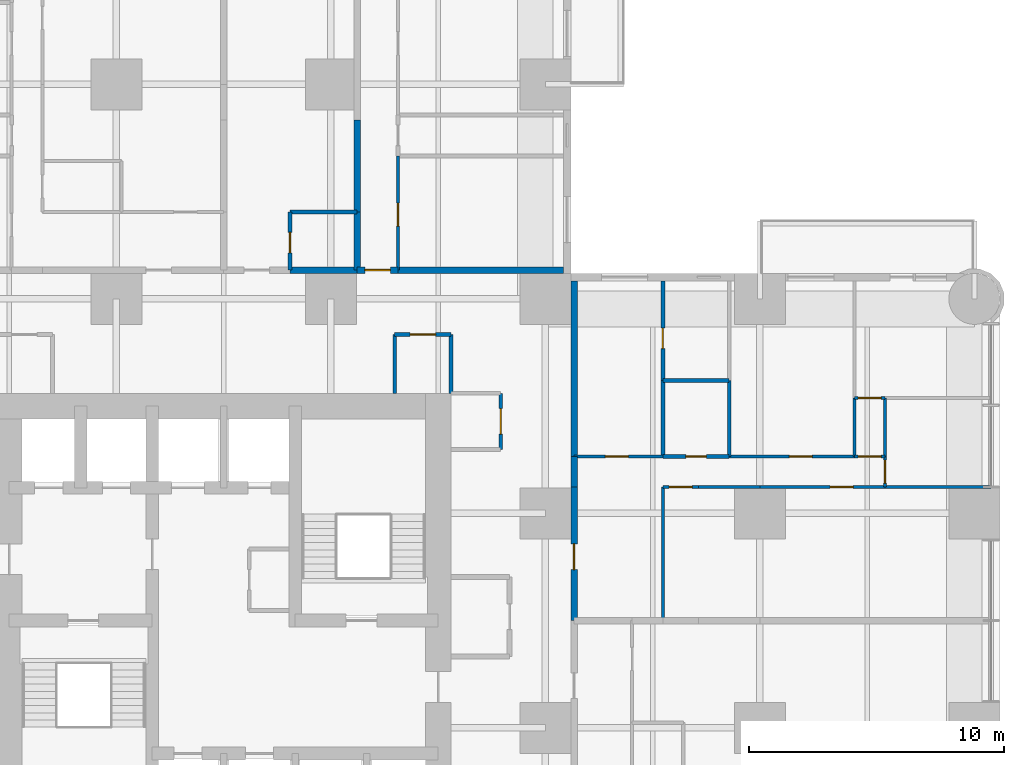
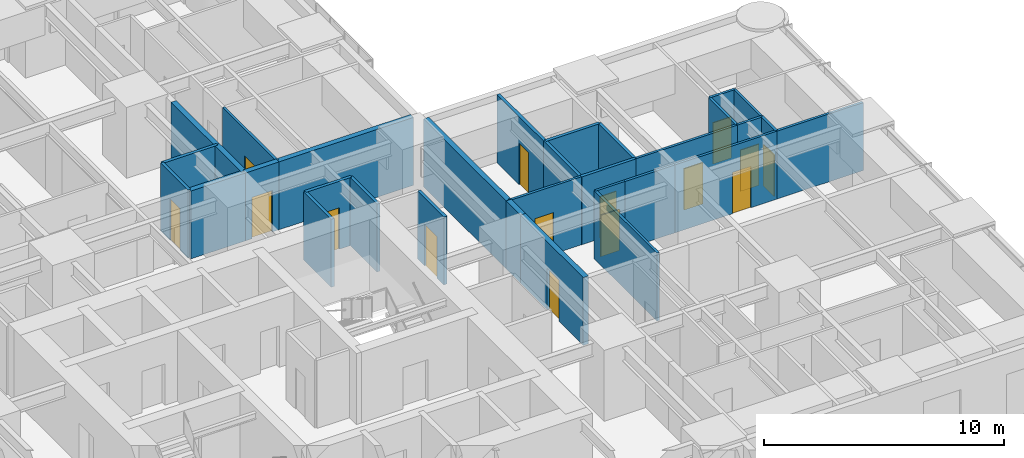
# One storey, part 14 of 17: 32 walls, 15 doors, 15 openings.
"""IFC4 building model written with IfcOpenShell, lengths in metres."""

import ifcopenshell
import ifcopenshell.guid

model = None  # the IFC model being written
_history = None  # IfcOwnerHistory: only IFC2X3 demands one
_inside = {}  # id of a spatial element -> (the spatial element, [elements in it])
_under = {}  # id of a project, library or spatial element -> (it, [spatial elements below it])
_declared = {}  # id of a project -> (the project, [libraries it declares])
_typed = {}  # id of a type object -> (the type object, [elements of that type])
_made_of = {}  # id of a material, layer set ... -> (it, [elements and type objects made of it])


def new_model(schema):
    """Start an empty IFC model of exactly this schema.

    Asked for "IFC4X3", IfcOpenShell would pick the latest addendum, in which some entities
    have other attributes; the version numbers below select the first issue.
    IFC2X3 requires an IfcOwnerHistory on every rooted entity: one is made here for all.
    """
    global model, _history
    if schema == "IFC4X3":
        model = ifcopenshell.file(schema_version=(4, 3, 0, 0))
    else:
        model = ifcopenshell.file(schema=schema)
    _inside.clear()
    _under.clear()
    _declared.clear()
    _typed.clear()
    _made_of.clear()
    _history = None
    if model.schema == "IFC2X3":
        org = make("IfcOrganization", Name="unknown")
        user = make(
            "IfcPersonAndOrganization",
            ThePerson=make("IfcPerson", FamilyName="unknown"),
            TheOrganization=org,
        )
        app = make(
            "IfcApplication",
            ApplicationDeveloper=org,
            Version="unknown",
            ApplicationFullName="unknown",
            ApplicationIdentifier="unknown",
        )
        _history = make(
            "IfcOwnerHistory",
            OwningUser=user,
            OwningApplication=app,
            ChangeAction="ADDED",
            CreationDate=0,
        )
    return model


def make(cls, **values):
    """One entity of the class cls with the attributes given. An attribute that is None is left unset."""
    return model.create_entity(
        cls, **{name: value for name, value in values.items() if value is not None}
    )


def rooted(cls, **values):
    """An entity with a GlobalId (a new one), such as an element, a storey or a relation."""
    return make(cls, GlobalId=ifcopenshell.guid.new(), OwnerHistory=_history, **values)


def si_unit(unit_type, name, prefix=None):
    """IfcSIUnit, for example si_unit("LENGTHUNIT", "METRE", prefix="MILLI")."""
    return make("IfcSIUnit", UnitType=unit_type, Prefix=prefix, Name=name)


def assignment(units):
    """IfcUnitAssignment: the units of a project."""
    return None if units is None else make("IfcUnitAssignment", Units=units)


def point(xyz):
    """IfcCartesianPoint."""
    return None if xyz is None else make("IfcCartesianPoint", Coordinates=xyz)


def direction(xyz):
    """IfcDirection."""
    return None if xyz is None else make("IfcDirection", DirectionRatios=xyz)


def frame(location, z_axis=None, x_axis=None):
    """IfcAxis2Placement3D, a coordinate frame: its origin and axes. An axis left out is left unset."""
    return make(
        "IfcAxis2Placement3D",
        Location=point(location),
        Axis=direction(z_axis),
        RefDirection=direction(x_axis),
    )


def frame_2d(location, x_axis=None):
    """IfcAxis2Placement2D, a coordinate frame in the plane: its origin and x axis."""
    return make(
        "IfcAxis2Placement2D", Location=point(location), RefDirection=direction(x_axis)
    )


def origin():
    """The frame at (0, 0, 0) with its axes left unset."""
    return frame((0.0, 0.0, 0.0))


def place(relative_to, where):
    """IfcLocalPlacement: puts the frame where relative to a parent placement (None: the world)."""
    return make(
        "IfcLocalPlacement", PlacementRelTo=relative_to, RelativePlacement=where
    )


def context(
    kind, dimensions, precision=None, world=None, true_north=None, identifier=None
):
    """IfcGeometricRepresentationContext, for example the 3D "Model" context."""
    return make(
        "IfcGeometricRepresentationContext",
        ContextIdentifier=identifier,
        ContextType=kind,
        CoordinateSpaceDimension=dimensions,
        Precision=precision,
        WorldCoordinateSystem=world,
        TrueNorth=true_north,
    )


def subcontext(parent, identifier, kind, view, scale=None):
    """IfcGeometricRepresentationSubContext, for example "Body" below "Model"."""
    return make(
        "IfcGeometricRepresentationSubContext",
        ContextIdentifier=identifier,
        ContextType=kind,
        ParentContext=parent,
        TargetScale=scale,
        TargetView=view,
    )


def project(units=None, contexts=None):
    """IfcProject with its units and contexts."""
    return rooted(
        "IfcProject",
        Name="project",
        RepresentationContexts=contexts,
        UnitsInContext=assignment(units),
    )


def spatial(cls, under=None, at=None, **own):
    """A site, building, storey or space (cls), placed at a placement, below another one or the project."""
    s = rooted(cls, ObjectPlacement=at, **own)
    if under is not None:
        _under.setdefault(under.id(), (under, []))[1].append(s)
    return s


def profile(cls, at=None, kind="AREA", **sizes):
    """A parametric profile (cls). Its sizes go by their IFC names, for example OverallWidth=200.0."""
    return make(cls, ProfileType=kind, Position=at, **sizes)


def rectangle(**sizes):
    """IfcRectangleProfileDef."""
    return profile("IfcRectangleProfileDef", **sizes)


def extrude(swept, where, along, depth):
    """IfcExtrudedAreaSolid: the profile swept, set in the frame where, extruded along a direction by depth."""
    return make(
        "IfcExtrudedAreaSolid",
        SweptArea=swept,
        Position=where,
        ExtrudedDirection=direction(along),
        Depth=depth,
    )


def shape(context_of_items, identifier, shape_type, items):
    """IfcShapeRepresentation: the items that make up one representation, for example the "Body"."""
    return make(
        "IfcShapeRepresentation",
        ContextOfItems=context_of_items,
        RepresentationIdentifier=identifier,
        RepresentationType=shape_type,
        Items=items,
    )


def material(Name=None, Category=None):
    """IfcMaterial."""
    return make("IfcMaterial", Name=Name, Category=Category)


def layer(
    of_material, thickness, ventilated=None, Name=None, Category=None, Priority=None
):
    """IfcMaterialLayer: one layer of a wall or slab, of a material (None: an air gap)."""
    return make(
        "IfcMaterialLayer",
        Material=of_material,
        LayerThickness=thickness,
        IsVentilated=ventilated,
        Name=Name,
        Category=Category,
        Priority=Priority,
    )


def layer_set(layers, Name=None):
    """IfcMaterialLayerSet."""
    return make("IfcMaterialLayerSet", MaterialLayers=layers, LayerSetName=Name)


def made_of(thing, what):
    """Note that an element or type object is made of a material, layer set ...; save() writes the relation."""
    if what is not None:
        _made_of.setdefault(what.id(), (what, []))[1].append(thing)
    return thing


def type_object(cls, material=None, **own):
    """A type object (cls), such as IfcWallType, which elements share."""
    return made_of(rooted(cls, **own), material)


def element(
    cls,
    number,
    at=None,
    inside=None,
    cuts=None,
    type_object=None,
    material=None,
    context=None,
    identifier="Body",
    shape_type=None,
    held_by="IfcProductDefinitionShape",
    body=None,
    shapes=None,
    **own,
):
    """One element of the class cls, such as IfcWall. Its Tag is "e" and its number.

    at: its placement. inside: the storey or other place that contains it. cuts: it is an
    opening in that element (IfcRelVoidsElement). A single representation is given by context,
    identifier, shape_type and body (its items); several are given by shapes. held_by: the class
    of the entity that holds the representations. save() writes the other relations.
    """
    e = rooted(cls, Tag="e%d" % number, ObjectPlacement=at, **own)
    if body is not None:
        shapes = [shape(context, identifier, shape_type, body)]
    if shapes is not None:
        e.Representation = make(held_by, Representations=shapes)
    if inside is not None:
        _inside.setdefault(inside.id(), (inside, []))[1].append(e)
    if cuts is not None:
        rooted(
            "IfcRelVoidsElement", RelatingBuildingElement=cuts, RelatedOpeningElement=e
        )
    if type_object is not None:
        _typed.setdefault(type_object.id(), (type_object, []))[1].append(e)
    return made_of(e, material)


def fill(opening, filler):
    """IfcRelFillsElement: the door or window that sits in an opening."""
    return rooted(
        "IfcRelFillsElement",
        RelatingOpeningElement=opening,
        RelatedBuildingElement=filler,
    )


def aggregate(whole, parts):
    """IfcRelAggregates: a whole, such as a stair, and the parts it consists of."""
    return rooted("IfcRelAggregates", RelatingObject=whole, RelatedObjects=parts)


def save(model, path):
    """Write the relations noted so far, then the file.

    IfcRelAggregates (storeys below a building ...), IfcRelContainedInSpatialStructure (elements
    in a storey), IfcRelDefinesByType, IfcRelAssociatesMaterial and IfcRelDeclares: one each for
    every whole, place, type object, material and project.
    """
    for whole, parts in _under.values():
        aggregate(whole, parts)
    for where, things in _inside.values():
        rooted(
            "IfcRelContainedInSpatialStructure",
            RelatedElements=things,
            RelatingStructure=where,
        )
    for kind, things in _typed.values():
        rooted("IfcRelDefinesByType", RelatedObjects=things, RelatingType=kind)
    for what, things in _made_of.values():
        rooted("IfcRelAssociatesMaterial", RelatedObjects=things, RelatingMaterial=what)
    for by, libraries in _declared.values():
        rooted("IfcRelDeclares", RelatingContext=by, RelatedDefinitions=libraries)
    model.write(path)


model = new_model("IFC4")

# Units and contexts
model_context = context("Model", 3, precision=1e-05, world=origin(), true_north=direction((0.0, 1.0)))
body_context = subcontext(model_context, "Body", "Model", "MODEL_VIEW")
ifc_project = project(units=[si_unit("LENGTHUNIT", "METRE"), si_unit("AREAUNIT", "SQUARE_METRE"), si_unit("VOLUMEUNIT", "CUBIC_METRE"), si_unit("PLANEANGLEUNIT", "RADIAN"), si_unit("MASSUNIT", "GRAM", prefix="KILO")], contexts=[model_context])

# Site, building, storey
site_placement = place(None, origin())
site = spatial("IfcSite", under=ifc_project, at=site_placement, CompositionType="ELEMENT")
building_placement = place(site_placement, origin())
building = spatial("IfcBuilding", under=site, at=building_placement, Name="Torre Alcanfor", CompositionType="ELEMENT")
storey_placement = place(building_placement, frame((0.0, 0.0, 95.699951171875)))
storey = spatial("IfcBuildingStorey", under=building, at=storey_placement, Name="L24", CompositionType="ELEMENT", Elevation=95.699951171875)

# Wall
ifc_material_1 = material(Name="Concrete block masonry, hollow blocks NMX-C-404 9 MPa", Category="masonry")
ifc_layer_1 = layer(ifc_material_1, 0.25)
ifc_layer_set_1 = layer_set([ifc_layer_1], Name="Apartment entrance wall 250 EI 60")
wall_type_1 = type_object("IfcWallType", Name="Apartment entrance wall 250 EI 60", PredefinedType="PARTITIONING", material=ifc_layer_set_1)
wall_1_placement = place(storey_placement, frame((32.0, 43.125, 0.0), z_axis=(0.0, 0.0, 1.0), x_axis=(1.0, 0.0, 0.0)))
element("IfcWall", 1, at=wall_1_placement, inside=storey, type_object=wall_type_1, Name="Partition L24-CORR / L24-N2A-BATH", PredefinedType="PARTITIONING", context=body_context, shape_type="SweptSolid", body=[
    extrude(rectangle(XDim=2.62890625, YDim=0.25, at=frame_2d((1.314453125, 0.0))), origin(), (0.0, 0.0, 1.0), 3.449951171875),
])

# Wall, opening, door
wall_2_placement = place(storey_placement, frame((34.62890625, 43.125, 0.0), z_axis=(0.0, 0.0, 1.0), x_axis=(1.0, 0.0, 0.0)))
wall_2 = element("IfcWall", 2, at=wall_2_placement, inside=storey, type_object=wall_type_1, Name="Partition L24-CORR / L24-N2B-HALL", PredefinedType="PARTITIONING", context=body_context, shape_type="SweptSolid", body=[
    extrude(rectangle(XDim=1.60009765625, YDim=0.25, at=frame_2d((0.800048828125, 0.0))), origin(), (0.0, 0.0, 1.0), 3.449951171875),
])
opening_1_placement = place(wall_2_placement, frame((0.300048828125, 0.0, 0.0)))
opening_1 = element("IfcOpeningElement", 3, at=opening_1_placement, cuts=wall_2, Name="Opening D-A1", PredefinedType="OPENING", context=body_context, shape_type="SweptSolid", body=[
    extrude(rectangle(XDim=1.0, YDim=2.10009765625, at=frame_2d((0.5, 1.050048828125))), frame((0.0, 0.135009765625, 0.0), z_axis=(0.0, -1.0, 0.0), x_axis=(1.0, 0.0, 0.0)), (0.0, 0.0, 1.0), 0.27001953125),
])
ifc_material_2 = material(Name="Galvanised steel sheet ASTM A653", Category="steel")
door_type_1 = type_object("IfcDoorType", Name="Apartment entrance door FD60 1000x2100", OperationType="SINGLE_SWING_LEFT", PredefinedType="DOOR", material=ifc_material_2)
door_1_placement = place(opening_1_placement, origin())
door_1 = element("IfcDoor", 4, at=door_1_placement, inside=storey, type_object=door_type_1, Name="Apartment entrance L24-N2B", OperationType="SINGLE_SWING_LEFT", OverallHeight=2.10009765625, OverallWidth=1.0, PredefinedType="DOOR", context=body_context, shape_type="SweptSolid", body=[
    extrude(rectangle(XDim=1.0, YDim=2.10009765625, at=frame_2d((0.5, 1.050048828125))), frame((0.0, 0.02490234375, 0.0), z_axis=(0.0, -1.0, 0.0), x_axis=(1.0, 0.0, 0.0)), (0.0, 0.0, 1.0), 0.050048828125),
])
fill(opening_1, door_1)

# Wall
wall_3_placement = place(storey_placement, frame((36.22900390625, 43.125, 0.0), z_axis=(0.0, 0.0, 1.0), x_axis=(1.0, 0.0, 0.0)))
element("IfcWall", 5, at=wall_3_placement, inside=storey, type_object=wall_type_1, Name="Partition L24-CORR / L24-N2B-BED2", PredefinedType="PARTITIONING", context=body_context, shape_type="SweptSolid", body=[
    extrude(rectangle(XDim=6.470947265625, YDim=0.25, at=frame_2d((3.2353515625, 0.0))), origin(), (0.0, 0.0, 1.0), 3.449951171875),
])

# Wall, opening, door
wall_4_placement = place(storey_placement, frame((43.125, 34.62890625, 0.0), z_axis=(0.0, 0.0, 1.0), x_axis=(0.0, -1.0, 0.0)))
wall_4 = element("IfcWall", 6, at=wall_4_placement, inside=storey, type_object=wall_type_1, Name="Partition L24-CORR / L24-E1-ZAG", PredefinedType="PARTITIONING", context=body_context, shape_type="SweptSolid", body=[
    extrude(rectangle(XDim=5.22900390625, YDim=0.25, at=frame_2d((2.614501953125, 0.0))), origin(), (0.0, 0.0, 1.0), 3.449951171875),
])
opening_2_placement = place(wall_4_placement, frame((2.22900390625, 0.0, 0.0)))
opening_2 = element("IfcOpeningElement", 7, at=opening_2_placement, cuts=wall_4, Name="Opening D-A1", PredefinedType="OPENING", context=body_context, shape_type="SweptSolid", body=[
    extrude(rectangle(XDim=1.0, YDim=2.10009765625, at=frame_2d((0.5, 1.050048828125))), frame((0.0, 0.135009765625, 0.0), z_axis=(0.0, -1.0, 0.0), x_axis=(1.0, 0.0, 0.0)), (0.0, 0.0, 1.0), 0.27001953125),
])
door_2_placement = place(opening_2_placement, origin())
door_2 = element("IfcDoor", 8, at=door_2_placement, inside=storey, type_object=door_type_1, Name="Apartment entrance L24-E1", OperationType="SINGLE_SWING_RIGHT", OverallHeight=2.10009765625, OverallWidth=1.0, PredefinedType="DOOR", context=body_context, shape_type="SweptSolid", body=[
    extrude(rectangle(XDim=1.0, YDim=2.10009765625, at=frame_2d((0.5, 1.050048828125))), frame((0.0, 0.02490234375, 0.0), z_axis=(0.0, -1.0, 0.0), x_axis=(1.0, 0.0, 0.0)), (0.0, 0.0, 1.0), 0.050048828125),
])
fill(opening_2, door_2)

# Walls
wall_5_placement = place(storey_placement, frame((43.125, 35.8291015625, 0.0), z_axis=(0.0, 0.0, 1.0), x_axis=(0.0, -1.0, 0.0)))
element("IfcWall", 9, at=wall_5_placement, inside=storey, type_object=wall_type_1, Name="Partition L24-CORR / L24-E1-HALL", PredefinedType="PARTITIONING", context=body_context, shape_type="SweptSolid", body=[
    extrude(rectangle(XDim=1.2001953125, YDim=0.25, at=frame_2d((0.60009765625, 0.0))), origin(), (0.0, 0.0, 1.0), 3.449951171875),
])
wall_6_placement = place(storey_placement, frame((43.125, 42.699951171875, 0.0), z_axis=(0.0, 0.0, 1.0), x_axis=(0.0, -1.0, 0.0)))
element("IfcWall", 10, at=wall_6_placement, inside=storey, type_object=wall_type_1, Name="Partition L24-CORR / L24-E1-SERV", PredefinedType="PARTITIONING", context=body_context, shape_type="SweptSolid", body=[
    extrude(rectangle(XDim=6.870849609375, YDim=0.25, at=frame_2d((3.435546875, 0.0))), origin(), (0.0, 0.0, 1.0), 3.449951171875),
])

# Wall, opening, door
ifc_material_3 = material(Name="Gypsum board on steel studs", Category="steel")
ifc_layer_2 = layer(ifc_material_3, 0.1201171875)
ifc_layer_set_2 = layer_set([ifc_layer_2], Name="Apartment partition 120")
wall_type_2 = type_object("IfcWallType", Name="Apartment partition 120", PredefinedType="PARTITIONING", material=ifc_layer_set_2)
wall_7_placement = place(storey_placement, frame((36.22900390625, 47.60009765625, 0.0), z_axis=(0.0, 0.0, 1.0), x_axis=(0.0, -1.0, 0.0)))
wall_7 = element("IfcWall", 11, at=wall_7_placement, inside=storey, type_object=wall_type_2, Name="Partition L24-N2B-HALL / L24-N2B-BED2", PredefinedType="PARTITIONING", context=body_context, shape_type="SweptSolid", body=[
    extrude(rectangle(XDim=4.47509765625, YDim=0.1201171875, at=frame_2d((2.237548828125, 0.0))), origin(), (0.0, 0.0, 1.0), 3.449951171875),
])
opening_3_placement = place(wall_7_placement, frame((1.85009765625, 0.0, 0.0)))
opening_3 = element("IfcOpeningElement", 12, at=opening_3_placement, cuts=wall_7, Name="Opening D-R1", PredefinedType="OPENING", context=body_context, shape_type="SweptSolid", body=[
    extrude(rectangle(XDim=0.89990234375, YDim=2.10009765625, at=frame_2d((0.449951171875, 1.050048828125))), frame((0.0, 0.070068359375, 0.0), z_axis=(0.0, -1.0, 0.0), x_axis=(1.0, 0.0, 0.0)), (0.0, 0.0, 1.0), 0.14013671875),
])
ifc_material_4 = material(Name="Timber", Category="wood")
door_type_2 = type_object("IfcDoorType", Name="Internal door 900x2100", OperationType="SINGLE_SWING_LEFT", PredefinedType="DOOR", material=ifc_material_4)
door_3_placement = place(opening_3_placement, origin())
door_3 = element("IfcDoor", 13, at=door_3_placement, inside=storey, type_object=door_type_2, Name="Door L24-N2B bed2", OperationType="SINGLE_SWING_RIGHT", OverallHeight=2.10009765625, OverallWidth=0.89990234375, PredefinedType="DOOR", context=body_context, shape_type="SweptSolid", body=[
    extrude(rectangle(XDim=0.89990234375, YDim=2.10009765625, at=frame_2d((0.449951171875, 1.050048828125))), frame((0.0, 0.02490234375, 0.0), z_axis=(0.0, -1.0, 0.0), x_axis=(1.0, 0.0, 0.0)), (0.0, 0.0, 1.0), 0.050048828125),
])
fill(opening_3, door_3)

# Wall
wall_8_placement = place(storey_placement, frame((46.60009765625, 29.39990234375, 0.0), z_axis=(0.0, 0.0, 1.0), x_axis=(0.0, 1.0, 0.0)))
element("IfcWall", 14, at=wall_8_placement, inside=storey, type_object=wall_type_2, Name="Partition L24-E1-ZAG / L24-E1-LAUND", PredefinedType="PARTITIONING", context=body_context, shape_type="SweptSolid", body=[
    extrude(rectangle(XDim=5.22900390625, YDim=0.1201171875, at=frame_2d((2.614501953125, 0.0))), origin(), (0.0, 0.0, 1.0), 3.449951171875),
])

# Wall, opening, door
wall_9_placement = place(storey_placement, frame((48.0, 34.62890625, 0.0), z_axis=(0.0, 0.0, 1.0), x_axis=(-1.0, 0.0, 0.0)))
wall_9 = element("IfcWall", 15, at=wall_9_placement, inside=storey, type_object=wall_type_2, Name="Partition L24-E1-LAUND / L24-E1-HALL", PredefinedType="PARTITIONING", context=body_context, shape_type="SweptSolid", body=[
    extrude(rectangle(XDim=1.39990234375, YDim=0.1201171875, at=frame_2d((0.699951171875, 0.0))), origin(), (0.0, 0.0, 1.0), 3.449951171875),
])
opening_4_placement = place(wall_9_placement, frame((0.25, 0.0, 0.0)))
opening_4 = element("IfcOpeningElement", 16, at=opening_4_placement, cuts=wall_9, Name="Opening D-R1", PredefinedType="OPENING", context=body_context, shape_type="SweptSolid", body=[
    extrude(rectangle(XDim=0.89990234375, YDim=2.10009765625, at=frame_2d((0.449951171875, 1.050048828125))), frame((0.0, 0.070068359375, 0.0), z_axis=(0.0, -1.0, 0.0), x_axis=(1.0, 0.0, 0.0)), (0.0, 0.0, 1.0), 0.14013671875),
])
door_4_placement = place(opening_4_placement, origin())
door_4 = element("IfcDoor", 17, at=door_4_placement, inside=storey, type_object=door_type_2, Name="Door L24-E1 laund", OperationType="SINGLE_SWING_LEFT", OverallHeight=2.10009765625, OverallWidth=0.89990234375, PredefinedType="DOOR", context=body_context, shape_type="SweptSolid", body=[
    extrude(rectangle(XDim=0.89990234375, YDim=2.10009765625, at=frame_2d((0.449951171875, 1.050048828125))), frame((0.0, 0.02490234375, 0.0), z_axis=(0.0, -1.0, 0.0), x_axis=(1.0, 0.0, 0.0)), (0.0, 0.0, 1.0), 0.050048828125),
])
fill(opening_4, door_4)

# Wall
wall_10_placement = place(storey_placement, frame((50.39990234375, 34.62890625, 0.0), z_axis=(0.0, 0.0, 1.0), x_axis=(-1.0, 0.0, 0.0)))
element("IfcWall", 18, at=wall_10_placement, inside=storey, type_object=wall_type_2, Name="Partition L24-E1-KITCHEN / L24-E1-HALL", PredefinedType="PARTITIONING", context=body_context, shape_type="SweptSolid", body=[
    extrude(rectangle(XDim=2.39990234375, YDim=0.1201171875, at=frame_2d((1.199951171875, 0.0))), origin(), (0.0, 0.0, 1.0), 3.449951171875),
])

# Wall, opening, door
wall_11_placement = place(storey_placement, frame((55.300048828125, 34.62890625, 0.0), z_axis=(0.0, 0.0, 1.0), x_axis=(-1.0, 0.0, 0.0)))
wall_11 = element("IfcWall", 19, at=wall_11_placement, inside=storey, type_object=wall_type_2, Name="Partition L24-E1-LIVING / L24-E1-HALL", PredefinedType="PARTITIONING", context=body_context, shape_type="SweptSolid", body=[
    extrude(rectangle(XDim=4.900146484375, YDim=0.1201171875, at=frame_2d((2.4501953125, 0.0))), origin(), (0.0, 0.0, 1.0), 3.449951171875),
])
opening_5_placement = place(wall_11_placement, frame((1.25, 0.0, 0.0)))
opening_5 = element("IfcOpeningElement", 20, at=opening_5_placement, cuts=wall_11, Name="Opening D-R1", PredefinedType="OPENING", context=body_context, shape_type="SweptSolid", body=[
    extrude(rectangle(XDim=0.89990234375, YDim=2.10009765625, at=frame_2d((0.449951171875, 1.050048828125))), frame((0.0, 0.070068359375, 0.0), z_axis=(0.0, -1.0, 0.0), x_axis=(1.0, 0.0, 0.0)), (0.0, 0.0, 1.0), 0.14013671875),
])
door_5_placement = place(opening_5_placement, origin())
door_5 = element("IfcDoor", 21, at=door_5_placement, inside=storey, type_object=door_type_2, Name="Door L24-E1 living", OperationType="SINGLE_SWING_RIGHT", OverallHeight=2.10009765625, OverallWidth=0.89990234375, PredefinedType="DOOR", context=body_context, shape_type="SweptSolid", body=[
    extrude(rectangle(XDim=0.89990234375, YDim=2.10009765625, at=frame_2d((0.449951171875, 1.050048828125))), frame((0.0, 0.02490234375, 0.0), z_axis=(0.0, -1.0, 0.0), x_axis=(1.0, 0.0, 0.0)), (0.0, 0.0, 1.0), 0.050048828125),
])
fill(opening_5, door_5)

# Wall
wall_12_placement = place(storey_placement, frame((59.449951171875, 34.62890625, 0.0), z_axis=(0.0, 0.0, 1.0), x_axis=(-1.0, 0.0, 0.0)))
element("IfcWall", 22, at=wall_12_placement, inside=storey, type_object=wall_type_2, Name="Partition L24-E1-LIVING / L24-E1-BED2", PredefinedType="PARTITIONING", context=body_context, shape_type="SweptSolid", body=[
    extrude(rectangle(XDim=4.14990234375, YDim=0.1201171875, at=frame_2d((2.074951171875, 0.0))), origin(), (0.0, 0.0, 1.0), 3.449951171875),
])

# Wall, opening, door
wall_13_placement = place(storey_placement, frame((46.60009765625, 35.8291015625, 0.0), z_axis=(0.0, 0.0, 1.0), x_axis=(-1.0, 0.0, 0.0)))
wall_13 = element("IfcWall", 23, at=wall_13_placement, inside=storey, type_object=wall_type_2, Name="Partition L24-E1-HALL / L24-E1-SERV", PredefinedType="PARTITIONING", context=body_context, shape_type="SweptSolid", body=[
    extrude(rectangle(XDim=3.47509765625, YDim=0.1201171875, at=frame_2d((1.737548828125, 0.0))), origin(), (0.0, 0.0, 1.0), 3.449951171875),
])
opening_6_placement = place(wall_13_placement, frame((1.35009765625, 0.0, 0.0)))
opening_6 = element("IfcOpeningElement", 24, at=opening_6_placement, cuts=wall_13, Name="Opening D-R1", PredefinedType="OPENING", context=body_context, shape_type="SweptSolid", body=[
    extrude(rectangle(XDim=0.89990234375, YDim=2.10009765625, at=frame_2d((0.449951171875, 1.050048828125))), frame((0.0, 0.070068359375, 0.0), z_axis=(0.0, -1.0, 0.0), x_axis=(1.0, 0.0, 0.0)), (0.0, 0.0, 1.0), 0.14013671875),
])
door_6_placement = place(opening_6_placement, frame((0.89990234375, 0.0, 0.0), z_axis=(0.0, 0.0, 1.0), x_axis=(-1.0, 0.0, 0.0)))
door_6 = element("IfcDoor", 25, at=door_6_placement, inside=storey, type_object=door_type_2, Name="Door L24-E1 serv", OperationType="SINGLE_SWING_LEFT", OverallHeight=2.10009765625, OverallWidth=0.89990234375, PredefinedType="DOOR", context=body_context, shape_type="SweptSolid", body=[
    extrude(rectangle(XDim=0.89990234375, YDim=2.10009765625, at=frame_2d((0.449951171875, 1.050048828125))), frame((0.0, 0.025146484375, 0.0), z_axis=(0.0, -1.0, 0.0), x_axis=(1.0, 0.0, 0.0)), (0.0, 0.0, 1.0), 0.050048828125),
])
fill(opening_6, door_6)

wall_14_placement = place(storey_placement, frame((54.10009765625, 35.8291015625, 0.0), z_axis=(0.0, 0.0, 1.0), x_axis=(-1.0, 0.0, 0.0)))
wall_14 = element("IfcWall", 26, at=wall_14_placement, inside=storey, type_object=wall_type_2, Name="Partition L24-E1-HALL / L24-E1-BED3", PredefinedType="PARTITIONING", context=body_context, shape_type="SweptSolid", body=[
    extrude(rectangle(XDim=4.900146484375, YDim=0.1201171875, at=frame_2d((2.4501953125, 0.0))), origin(), (0.0, 0.0, 1.0), 3.449951171875),
])
opening_7_placement = place(wall_14_placement, frame((1.64990234375, 0.0, 0.0)))
opening_7 = element("IfcOpeningElement", 27, at=opening_7_placement, cuts=wall_14, Name="Opening D-R1", PredefinedType="OPENING", context=body_context, shape_type="SweptSolid", body=[
    extrude(rectangle(XDim=0.89990234375, YDim=2.10009765625, at=frame_2d((0.449951171875, 1.050048828125))), frame((0.0, 0.070068359375, 0.0), z_axis=(0.0, -1.0, 0.0), x_axis=(1.0, 0.0, 0.0)), (0.0, 0.0, 1.0), 0.14013671875),
])
door_7_placement = place(opening_7_placement, frame((0.89990234375, 0.0, 0.0), z_axis=(0.0, 0.0, 1.0), x_axis=(-1.0, 0.0, 0.0)))
door_7 = element("IfcDoor", 28, at=door_7_placement, inside=storey, type_object=door_type_2, Name="Door L24-E1 bed3", OperationType="SINGLE_SWING_RIGHT", OverallHeight=2.10009765625, OverallWidth=0.89990234375, PredefinedType="DOOR", context=body_context, shape_type="SweptSolid", body=[
    extrude(rectangle(XDim=0.89990234375, YDim=2.10009765625, at=frame_2d((0.449951171875, 1.050048828125))), frame((0.0, 0.025146484375, 0.0), z_axis=(0.0, -1.0, 0.0), x_axis=(1.0, 0.0, 0.0)), (0.0, 0.0, 1.0), 0.050048828125),
])
fill(opening_7, door_7)

wall_15_placement = place(storey_placement, frame((55.300048828125, 35.8291015625, 0.0), z_axis=(0.0, 0.0, 1.0), x_axis=(-1.0, 0.0, 0.0)))
wall_15 = element("IfcWall", 29, at=wall_15_placement, inside=storey, type_object=wall_type_2, Name="Partition L24-E1-HALL / L24-E1-VEST", PredefinedType="PARTITIONING", context=body_context, shape_type="SweptSolid", body=[
    extrude(rectangle(XDim=1.199951171875, YDim=0.1201171875, at=frame_2d((0.60009765625, 0.0))), origin(), (0.0, 0.0, 1.0), 3.449951171875),
])
opening_8_placement = place(wall_15_placement, frame((0.14990234375, 0.0, 0.0)))
opening_8 = element("IfcOpeningElement", 30, at=opening_8_placement, cuts=wall_15, Name="Opening D-R1", PredefinedType="OPENING", context=body_context, shape_type="SweptSolid", body=[
    extrude(rectangle(XDim=0.89990234375, YDim=2.10009765625, at=frame_2d((0.449951171875, 1.050048828125))), frame((0.0, 0.070068359375, 0.0), z_axis=(0.0, -1.0, 0.0), x_axis=(1.0, 0.0, 0.0)), (0.0, 0.0, 1.0), 0.14013671875),
])
door_8_placement = place(opening_8_placement, frame((0.89990234375, 0.0, 0.0), z_axis=(0.0, 0.0, 1.0), x_axis=(-1.0, 0.0, 0.0)))
door_8 = element("IfcDoor", 31, at=door_8_placement, inside=storey, type_object=door_type_2, Name="Door L24-E1 vest", OperationType="SINGLE_SWING_RIGHT", OverallHeight=2.10009765625, OverallWidth=0.89990234375, PredefinedType="DOOR", context=body_context, shape_type="SweptSolid", body=[
    extrude(rectangle(XDim=0.89990234375, YDim=2.10009765625, at=frame_2d((0.449951171875, 1.050048828125))), frame((0.0, 0.025146484375, 0.0), z_axis=(0.0, -1.0, 0.0), x_axis=(1.0, 0.0, 0.0)), (0.0, 0.0, 1.0), 0.050048828125),
])
fill(opening_8, door_8)

wall_16_placement = place(storey_placement, frame((55.300048828125, 34.62890625, 0.0), z_axis=(0.0, 0.0, 1.0), x_axis=(0.0, 1.0, 0.0)))
wall_16 = element("IfcWall", 32, at=wall_16_placement, inside=storey, type_object=wall_type_2, Name="Partition L24-E1-HALL / L24-E1-BED2", PredefinedType="PARTITIONING", context=body_context, shape_type="SweptSolid", body=[
    extrude(rectangle(XDim=1.2001953125, YDim=0.1201171875, at=frame_2d((0.60009765625, 0.0))), origin(), (0.0, 0.0, 1.0), 3.449951171875),
])
opening_9_placement = place(wall_16_placement, frame((0.15087890625, 0.0, 0.0)))
opening_9 = element("IfcOpeningElement", 33, at=opening_9_placement, cuts=wall_16, Name="Opening D-R1", PredefinedType="OPENING", context=body_context, shape_type="SweptSolid", body=[
    extrude(rectangle(XDim=0.89990234375, YDim=2.10009765625, at=frame_2d((0.449951171875, 1.050048828125))), frame((0.0, 0.070068359375, 0.0), z_axis=(0.0, -1.0, 0.0), x_axis=(1.0, 0.0, 0.0)), (0.0, 0.0, 1.0), 0.14013671875),
])
door_9_placement = place(opening_9_placement, frame((0.89990234375, 0.0, 0.0), z_axis=(0.0, 0.0, 1.0), x_axis=(-1.0, 0.0, 0.0)))
door_9 = element("IfcDoor", 34, at=door_9_placement, inside=storey, type_object=door_type_2, Name="Door L24-E1 bed2", OperationType="SINGLE_SWING_RIGHT", OverallHeight=2.10009765625, OverallWidth=0.89990234375, PredefinedType="DOOR", context=body_context, shape_type="SweptSolid", body=[
    extrude(rectangle(XDim=0.89990234375, YDim=2.10009765625, at=frame_2d((0.449951171875, 1.050048828125))), frame((0.0, 0.025146484375, 0.0), z_axis=(0.0, -1.0, 0.0), x_axis=(1.0, 0.0, 0.0)), (0.0, 0.0, 1.0), 0.050048828125),
])
fill(opening_9, door_9)

# Walls
for number, where, z_axis, x_axis, name in (
    (35, (54.10009765625, 35.8291015625, 0.0), (0.0, 0.0, 1.0), (0.0, 1.0, 0.0), "Partition L24-E1-BED3 / L24-E1-VEST"),
    (36, (55.300048828125, 35.8291015625, 0.0), (0.0, 0.0, 1.0), (0.0, 1.0, 0.0), "Partition L24-E1-VEST / L24-E1-BED2"),
):
    element("IfcWall", number, at=place(storey_placement, frame(where, z_axis=z_axis, x_axis=x_axis)), inside=storey, type_object=wall_type_2, Name=name, PredefinedType="PARTITIONING", context=body_context, shape_type="SweptSolid", body=[
        extrude(rectangle(XDim=2.284912109375, YDim=0.1201171875, at=frame_2d((1.142578125, 0.0))), origin(), (0.0, 0.0, 1.0), 3.449951171875),
    ])

# Wall, opening, door
wall_17_placement = place(storey_placement, frame((55.300048828125, 38.114013671875, 0.0), z_axis=(0.0, 0.0, 1.0), x_axis=(-1.0, 0.0, 0.0)))
wall_17 = element("IfcWall", 37, at=wall_17_placement, inside=storey, type_object=wall_type_2, Name="Partition L24-E1-VEST / L24-E1-MASTER", PredefinedType="PARTITIONING", context=body_context, shape_type="SweptSolid", body=[
    extrude(rectangle(XDim=1.199951171875, YDim=0.1201171875, at=frame_2d((0.60009765625, 0.0))), origin(), (0.0, 0.0, 1.0), 3.449951171875),
])
opening_10_placement = place(wall_17_placement, frame((0.14990234375, 0.0, 0.0)))
opening_10 = element("IfcOpeningElement", 38, at=opening_10_placement, cuts=wall_17, Name="Opening D-R1", PredefinedType="OPENING", context=body_context, shape_type="SweptSolid", body=[
    extrude(rectangle(XDim=0.89990234375, YDim=2.10009765625, at=frame_2d((0.449951171875, 1.050048828125))), frame((0.0, 0.070068359375, 0.0), z_axis=(0.0, -1.0, 0.0), x_axis=(1.0, 0.0, 0.0)), (0.0, 0.0, 1.0), 0.14013671875),
])
door_10_placement = place(opening_10_placement, origin())
door_10 = element("IfcDoor", 39, at=door_10_placement, inside=storey, type_object=door_type_2, Name="Door L24-E1 master", OperationType="SINGLE_SWING_LEFT", OverallHeight=2.10009765625, OverallWidth=0.89990234375, PredefinedType="DOOR", context=body_context, shape_type="SweptSolid", body=[
    extrude(rectangle(XDim=0.89990234375, YDim=2.10009765625, at=frame_2d((0.449951171875, 1.050048828125))), frame((0.0, 0.02490234375, 0.0), z_axis=(0.0, -1.0, 0.0), x_axis=(1.0, 0.0, 0.0)), (0.0, 0.0, 1.0), 0.050048828125),
])
fill(opening_10, door_10)

# Walls
ifc_material_5 = material(Name="Concrete block masonry, hollow blocks NMX-C-404 9 MPa", Category="masonry")
ifc_layer_3 = layer(ifc_material_5, 0.25)
ifc_layer_set_3 = layer_set([ifc_layer_3], Name="Party wall 250 EI 60")
wall_type_3 = type_object("IfcWallType", Name="Party wall 250 EI 60", PredefinedType="PARTITIONING", material=ifc_layer_set_3)
wall_18_placement = place(storey_placement, frame((34.62890625, 45.39990234375, 0.0), z_axis=(0.0, 0.0, 1.0), x_axis=(0.0, -1.0, 0.0)))
element("IfcWall", 40, at=wall_18_placement, inside=storey, type_object=wall_type_3, Name="Partition L24-N2A-BATH / L24-N2B-HALL", PredefinedType="PARTITIONING", context=body_context, shape_type="SweptSolid", body=[
    extrude(rectangle(XDim=2.27490234375, YDim=0.25, at=frame_2d((1.137451171875, 0.0))), origin(), (0.0, 0.0, 1.0), 3.449951171875),
])
wall_19_placement = place(storey_placement, frame((34.62890625, 49.0, 0.0), z_axis=(0.0, 0.0, 1.0), x_axis=(0.0, -1.0, 0.0)))
element("IfcWall", 41, at=wall_19_placement, inside=storey, type_object=wall_type_3, Name="Partition L24-N2A-KITCHEN / L24-N2B-HALL", PredefinedType="PARTITIONING", context=body_context, shape_type="SweptSolid", body=[
    extrude(rectangle(XDim=3.60009765625, YDim=0.25, at=frame_2d((1.800048828125, 0.0))), origin(), (0.0, 0.0, 1.0), 3.449951171875),
])
ifc_material_6 = material(Name="Concrete block masonry, hollow blocks NMX-C-404 9 MPa", Category="masonry")
ifc_layer_4 = layer(ifc_material_6, 0.14990234375)
ifc_layer_set_4 = layer_set([ifc_layer_4], Name="Residents' room partition 150")
wall_type_4 = type_object("IfcWallType", Name="Residents' room partition 150", PredefinedType="PARTITIONING", material=ifc_layer_set_4)
wall_20_placement = place(storey_placement, frame((38.300048828125, 38.300048828125, 0.0), z_axis=(0.0, 0.0, 1.0), x_axis=(0.0, 1.0, 0.0)))
element("IfcWall", 42, at=wall_20_placement, inside=storey, type_object=wall_type_4, Name="Partition L24-CORR / L24-G02", PredefinedType="PARTITIONING", context=body_context, shape_type="SweptSolid", body=[
    extrude(rectangle(XDim=2.300048828125, YDim=0.14990234375, at=frame_2d((1.14990234375, 0.0))), origin(), (0.0, 0.0, 1.0), 3.449951171875),
])

# Wall, opening, door
wall_21_placement = place(storey_placement, frame((38.300048828125, 40.60009765625, 0.0), z_axis=(0.0, 0.0, 1.0), x_axis=(-1.0, 0.0, 0.0)))
wall_21 = element("IfcWall", 43, at=wall_21_placement, inside=storey, type_object=wall_type_4, Name="Partition L24-CORR / L24-G02", PredefinedType="PARTITIONING", context=body_context, shape_type="SweptSolid", body=[
    extrude(rectangle(XDim=2.199951171875, YDim=0.14990234375, at=frame_2d((1.10009765625, 0.0))), origin(), (0.0, 0.0, 1.0), 3.449951171875),
])
opening_11_placement = place(wall_21_placement, frame((0.60009765625, 0.0, 0.0)))
opening_11 = element("IfcOpeningElement", 44, at=opening_11_placement, cuts=wall_21, Name="Opening D-M1", PredefinedType="OPENING", context=body_context, shape_type="SweptSolid", body=[
    extrude(rectangle(XDim=1.0, YDim=2.10009765625, at=frame_2d((0.5, 1.050048828125))), frame((0.0, 0.0849609375, 0.0), z_axis=(0.0, -1.0, 0.0), x_axis=(1.0, 0.0, 0.0)), (0.0, 0.0, 1.0), 0.169921875),
])
ifc_material_7 = material(Name="Timber", Category="wood")
door_type_3 = type_object("IfcDoorType", Name="Residents' room door 1000x2100", OperationType="SINGLE_SWING_LEFT", PredefinedType="DOOR", material=ifc_material_7)
door_11_placement = place(opening_11_placement, origin())
door_11 = element("IfcDoor", 45, at=door_11_placement, inside=storey, type_object=door_type_3, Name="Door L24-G02 parcel room", OperationType="SINGLE_SWING_LEFT", OverallHeight=2.10009765625, OverallWidth=1.0, PredefinedType="DOOR", context=body_context, shape_type="SweptSolid", body=[
    extrude(rectangle(XDim=1.0, YDim=2.10009765625, at=frame_2d((0.5, 1.050048828125))), frame((0.0, 0.02490234375, 0.0), z_axis=(0.0, -1.0, 0.0), x_axis=(1.0, 0.0, 0.0)), (0.0, 0.0, 1.0), 0.050048828125),
])
fill(opening_11, door_11)

# Wall
wall_22_placement = place(storey_placement, frame((36.10009765625, 40.60009765625, 0.0), z_axis=(0.0, 0.0, 1.0), x_axis=(0.0, -1.0, 0.0)))
element("IfcWall", 46, at=wall_22_placement, inside=storey, type_object=wall_type_4, Name="Partition L24-CORR / L24-G02", PredefinedType="PARTITIONING", context=body_context, shape_type="SweptSolid", body=[
    extrude(rectangle(XDim=2.300048828125, YDim=0.14990234375, at=frame_2d((1.14990234375, 0.0))), origin(), (0.0, 0.0, 1.0), 3.449951171875),
])

# Wall, opening, door
wall_23_placement = place(storey_placement, frame((40.25, 36.10009765625, 0.0), z_axis=(0.0, 0.0, 1.0), x_axis=(0.0, 1.0, 0.0)))
wall_23 = element("IfcWall", 47, at=wall_23_placement, inside=storey, type_object=wall_type_4, Name="Partition L24-CORR / L24-G04", PredefinedType="PARTITIONING", context=body_context, shape_type="SweptSolid", body=[
    extrude(rectangle(XDim=2.199951171875, YDim=0.14990234375, at=frame_2d((1.10009765625, 0.0))), origin(), (0.0, 0.0, 1.0), 3.449951171875),
])
opening_12_placement = place(wall_23_placement, frame((0.60009765625, 0.0, 0.0)))
opening_12 = element("IfcOpeningElement", 48, at=opening_12_placement, cuts=wall_23, Name="Opening D-M1", PredefinedType="OPENING", context=body_context, shape_type="SweptSolid", body=[
    extrude(rectangle(XDim=1.0, YDim=2.10009765625, at=frame_2d((0.5, 1.050048828125))), frame((0.0, 0.0849609375, 0.0), z_axis=(0.0, -1.0, 0.0), x_axis=(1.0, 0.0, 0.0)), (0.0, 0.0, 1.0), 0.169921875),
])
door_12_placement = place(opening_12_placement, origin())
door_12 = element("IfcDoor", 49, at=door_12_placement, inside=storey, type_object=door_type_3, Name="Door L24-G04 residents' storage lockers", OperationType="SINGLE_SWING_LEFT", OverallHeight=2.10009765625, OverallWidth=1.0, PredefinedType="DOOR", context=body_context, shape_type="SweptSolid", body=[
    extrude(rectangle(XDim=1.0, YDim=2.10009765625, at=frame_2d((0.5, 1.050048828125))), frame((0.0, 0.02490234375, 0.0), z_axis=(0.0, -1.0, 0.0), x_axis=(1.0, 0.0, 0.0)), (0.0, 0.0, 1.0), 0.050048828125),
])
fill(opening_12, door_12)

ifc_material_8 = material(Name="Cement board on steel studs", Category="steel")
ifc_layer_5 = layer(ifc_material_8, 0.14990234375)
ifc_layer_set_5 = layer_set([ifc_layer_5], Name="Wet area partition 150")
wall_type_5 = type_object("IfcWallType", Name="Wet area partition 150", PredefinedType="PARTITIONING", material=ifc_layer_set_5)
wall_24_placement = place(storey_placement, frame((32.0, 45.39990234375, 0.0), z_axis=(0.0, 0.0, 1.0), x_axis=(0.0, -1.0, 0.0)))
wall_24 = element("IfcWall", 50, at=wall_24_placement, inside=storey, type_object=wall_type_5, Name="Partition L24-N2A-FOYER / L24-N2A-BATH", PredefinedType="PARTITIONING", context=body_context, shape_type="SweptSolid", body=[
    extrude(rectangle(XDim=2.27490234375, YDim=0.14990234375, at=frame_2d((1.137451171875, 0.0))), origin(), (0.0, 0.0, 1.0), 3.449951171875),
])
opening_13_placement = place(wall_24_placement, frame((0.800048828125, 0.0, 0.0)))
opening_13 = element("IfcOpeningElement", 51, at=opening_13_placement, cuts=wall_24, Name="Opening D-R2", PredefinedType="OPENING", context=body_context, shape_type="SweptSolid", body=[
    extrude(rectangle(XDim=0.800048828125, YDim=2.10009765625, at=frame_2d((0.39990234375, 1.050048828125))), frame((0.0, 0.0849609375, 0.0), z_axis=(0.0, -1.0, 0.0), x_axis=(1.0, 0.0, 0.0)), (0.0, 0.0, 1.0), 0.169921875),
])
ifc_material_9 = material(Name="Timber", Category="wood")
door_type_4 = type_object("IfcDoorType", Name="Bathroom door 800x2100", OperationType="SINGLE_SWING_LEFT", PredefinedType="DOOR", material=ifc_material_9)
door_13_placement = place(opening_13_placement, origin())
door_13 = element("IfcDoor", 52, at=door_13_placement, inside=storey, type_object=door_type_4, Name="Door L24-N2A bath", OperationType="SINGLE_SWING_RIGHT", OverallHeight=2.10009765625, OverallWidth=0.800048828125, PredefinedType="DOOR", context=body_context, shape_type="SweptSolid", body=[
    extrude(rectangle(XDim=0.800048828125, YDim=2.10009765625, at=frame_2d((0.39990234375, 1.050048828125))), frame((0.0, 0.02490234375, 0.0), z_axis=(0.0, -1.0, 0.0), x_axis=(1.0, 0.0, 0.0)), (0.0, 0.0, 1.0), 0.050048828125),
])
fill(opening_13, door_13)

# Wall
wall_25_placement = place(storey_placement, frame((32.0, 45.39990234375, 0.0), z_axis=(0.0, 0.0, 1.0), x_axis=(1.0, 0.0, 0.0)))
element("IfcWall", 53, at=wall_25_placement, inside=storey, type_object=wall_type_5, Name="Partition L24-N2A-BATH / L24-N2A-KITCHEN", PredefinedType="PARTITIONING", context=body_context, shape_type="SweptSolid", body=[
    extrude(rectangle(XDim=2.62890625, YDim=0.14990234375, at=frame_2d((1.314453125, 0.0))), origin(), (0.0, 0.0, 1.0), 3.449951171875),
])

# Wall, opening, door
wall_26_placement = place(storey_placement, frame((49.199951171875, 35.8291015625, 0.0), z_axis=(0.0, 0.0, 1.0), x_axis=(-1.0, 0.0, 0.0)))
wall_26 = element("IfcWall", 54, at=wall_26_placement, inside=storey, type_object=wall_type_5, Name="Partition L24-E1-HALL / L24-E1-BATH1", PredefinedType="PARTITIONING", context=body_context, shape_type="SweptSolid", body=[
    extrude(rectangle(XDim=2.599853515625, YDim=0.14990234375, at=frame_2d((1.2998046875, 0.0))), origin(), (0.0, 0.0, 1.0), 3.449951171875),
])
opening_14_placement = place(wall_26_placement, frame((0.89990234375, 0.0, 0.0)))
opening_14 = element("IfcOpeningElement", 55, at=opening_14_placement, cuts=wall_26, Name="Opening D-R2", PredefinedType="OPENING", context=body_context, shape_type="SweptSolid", body=[
    extrude(rectangle(XDim=0.800048828125, YDim=2.10009765625, at=frame_2d((0.39990234375, 1.050048828125))), frame((0.0, 0.0849609375, 0.0), z_axis=(0.0, -1.0, 0.0), x_axis=(1.0, 0.0, 0.0)), (0.0, 0.0, 1.0), 0.169921875),
])
door_14_placement = place(opening_14_placement, frame((0.800048828125, 0.0, 0.0), z_axis=(0.0, 0.0, 1.0), x_axis=(-1.0, 0.0, 0.0)))
door_14 = element("IfcDoor", 56, at=door_14_placement, inside=storey, type_object=door_type_4, Name="Door L24-E1 bath1", OperationType="SINGLE_SWING_RIGHT", OverallHeight=2.10009765625, OverallWidth=0.800048828125, PredefinedType="DOOR", context=body_context, shape_type="SweptSolid", body=[
    extrude(rectangle(XDim=0.800048828125, YDim=2.10009765625, at=frame_2d((0.400146484375, 1.050048828125))), frame((0.0, 0.025146484375, 0.0), z_axis=(0.0, -1.0, 0.0), x_axis=(1.0, 0.0, 0.0)), (0.0, 0.0, 1.0), 0.050048828125),
])
fill(opening_14, door_14)

# Wall
wall_27_placement = place(storey_placement, frame((46.60009765625, 35.8291015625, 0.0), z_axis=(0.0, 0.0, 1.0), x_axis=(0.0, 1.0, 0.0)))
element("IfcWall", 57, at=wall_27_placement, inside=storey, type_object=wall_type_5, Name="Partition L24-E1-SERV / L24-E1-BATH1", PredefinedType="PARTITIONING", context=body_context, shape_type="SweptSolid", body=[
    extrude(rectangle(XDim=2.970947265625, YDim=0.14990234375, at=frame_2d((1.4853515625, 0.0))), origin(), (0.0, 0.0, 1.0), 3.449951171875),
])

# Wall, opening, door
wall_28_placement = place(storey_placement, frame((46.60009765625, 38.800048828125, 0.0), z_axis=(0.0, 0.0, 1.0), x_axis=(0.0, 1.0, 0.0)))
wall_28 = element("IfcWall", 58, at=wall_28_placement, inside=storey, type_object=wall_type_5, Name="Partition L24-E1-SERV / L24-E1-SBATH", PredefinedType="PARTITIONING", context=body_context, shape_type="SweptSolid", body=[
    extrude(rectangle(XDim=3.89990234375, YDim=0.14990234375, at=frame_2d((1.949951171875, 0.0))), origin(), (0.0, 0.0, 1.0), 3.449951171875),
])
opening_15_placement = place(wall_28_placement, frame((1.25, 0.0, 0.0)))
opening_15 = element("IfcOpeningElement", 59, at=opening_15_placement, cuts=wall_28, Name="Opening D-R2", PredefinedType="OPENING", context=body_context, shape_type="SweptSolid", body=[
    extrude(rectangle(XDim=0.800048828125, YDim=2.10009765625, at=frame_2d((0.39990234375, 1.050048828125))), frame((0.0, 0.0849609375, 0.0), z_axis=(0.0, -1.0, 0.0), x_axis=(1.0, 0.0, 0.0)), (0.0, 0.0, 1.0), 0.169921875),
])
door_15_placement = place(opening_15_placement, frame((0.800048828125, 0.0, 0.0), z_axis=(0.0, 0.0, 1.0), x_axis=(-1.0, 0.0, 0.0)))
door_15 = element("IfcDoor", 60, at=door_15_placement, inside=storey, type_object=door_type_4, Name="Door L24-E1 sbath", OperationType="SINGLE_SWING_RIGHT", OverallHeight=2.10009765625, OverallWidth=0.800048828125, PredefinedType="DOOR", context=body_context, shape_type="SweptSolid", body=[
    extrude(rectangle(XDim=0.800048828125, YDim=2.10009765625, at=frame_2d((0.400146484375, 1.050048828125))), frame((0.0, 0.025146484375, 0.0), z_axis=(0.0, -1.0, 0.0), x_axis=(1.0, 0.0, 0.0)), (0.0, 0.0, 1.0), 0.050048828125),
])
fill(opening_15, door_15)

# Walls
wall_29_placement = place(storey_placement, frame((49.199951171875, 38.800048828125, 0.0), z_axis=(0.0, 0.0, 1.0), x_axis=(-1.0, 0.0, 0.0)))
element("IfcWall", 61, at=wall_29_placement, inside=storey, type_object=wall_type_5, Name="Partition L24-E1-BATH1 / L24-E1-SBATH", PredefinedType="PARTITIONING", context=body_context, shape_type="SweptSolid", body=[
    extrude(rectangle(XDim=2.599853515625, YDim=0.14990234375, at=frame_2d((1.2998046875, 0.0))), origin(), (0.0, 0.0, 1.0), 3.449951171875),
])
wall_30_placement = place(storey_placement, frame((49.199951171875, 35.8291015625, 0.0), z_axis=(0.0, 0.0, 1.0), x_axis=(0.0, 1.0, 0.0)))
element("IfcWall", 62, at=wall_30_placement, inside=storey, type_object=wall_type_5, Name="Partition L24-E1-BATH1 / L24-E1-BED3", PredefinedType="PARTITIONING", context=body_context, shape_type="SweptSolid", body=[
    extrude(rectangle(XDim=2.970947265625, YDim=0.14990234375, at=frame_2d((1.4853515625, 0.0))), origin(), (0.0, 0.0, 1.0), 3.449951171875),
])

save(model, "model.ifc")
